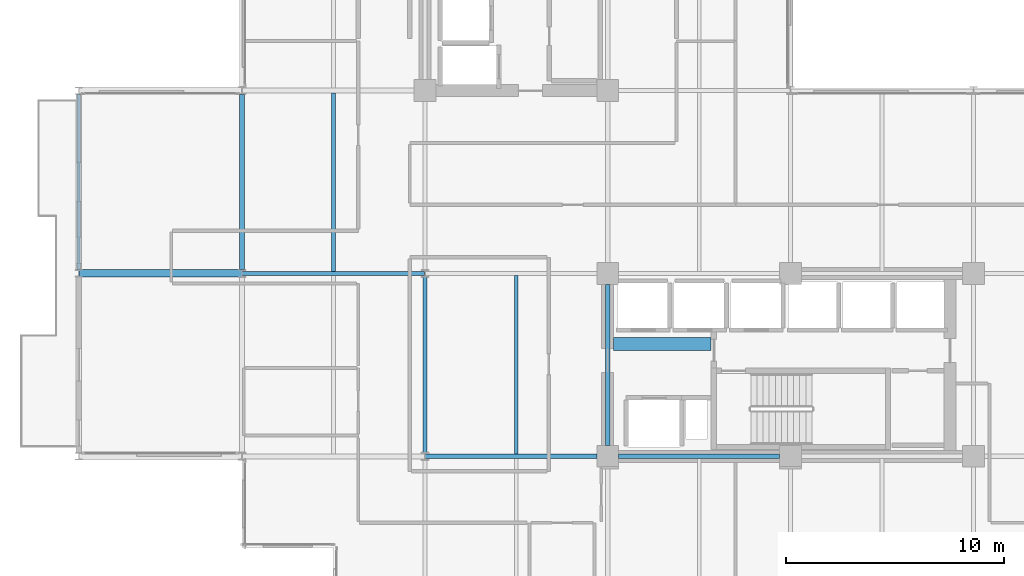
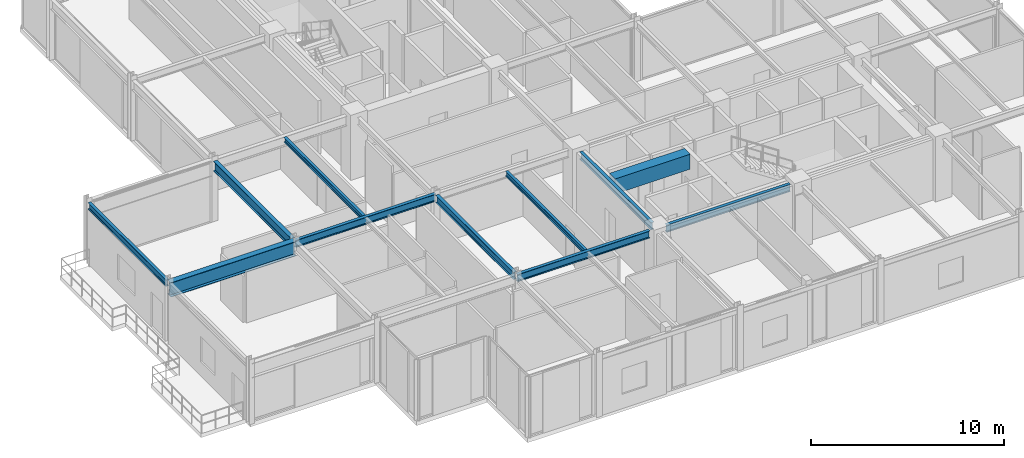
# One storey, part 8 of 29: 11 beams.
"""IFC4 building model written with IfcOpenShell, lengths in metres."""

from ifc_helpers import new_model, si_unit, direction, frame, origin, origin_2d, place, context, subcontext, project, spatial, rectangle, i_section, extrude, material, material_profile, profile_set, type_object, element, save


model = new_model("IFC4")

# Units and contexts
model_context = context("Model", 3, precision=1e-05, world=origin(), true_north=direction((0.0, 1.0)))
body_context = subcontext(model_context, "Body", "Model", "MODEL_VIEW")
ifc_project = project(units=[si_unit("LENGTHUNIT", "METRE"), si_unit("AREAUNIT", "SQUARE_METRE"), si_unit("VOLUMEUNIT", "CUBIC_METRE"), si_unit("PLANEANGLEUNIT", "RADIAN"), si_unit("MASSUNIT", "GRAM", prefix="KILO")], contexts=[model_context])

# Site, building, storey
site_placement = place(None, origin())
site = spatial("IfcSite", under=ifc_project, at=site_placement, CompositionType="ELEMENT")
building_placement = place(site_placement, origin())
building = spatial("IfcBuilding", under=site, at=building_placement, Name="Nerrivon Quay Data Exchange", CompositionType="ELEMENT")
storey_placement = place(building_placement, frame((0.0, 0.0, 212.39990234375)))
storey = spatial("IfcBuildingStorey", under=building, at=storey_placement, Name="L50", CompositionType="ELEMENT", Elevation=212.39990234375)

# Beams
ifc_material_1 = material(Name="Steel Grade 350", Category="steel")
ifc_material_profile_1 = material_profile(ifc_material_1, i_section(OverallWidth=0.35009765625, OverallDepth=0.909912109375, WebThickness=0.011962890625, FlangeThickness=0.02490234375, at=origin_2d()), Name="900WB218")
ifc_profile_set_1 = profile_set([ifc_material_profile_1], Name="Steel Grade 350")
beam_type_1 = type_object("IfcBeamType", Name="BM-CANT-900WB", PredefinedType="USERDEFINED", material=ifc_profile_set_1)
beam_1_placement = place(storey_placement, frame((-0.010009765625, 16.800048828125, 3.3701171875), z_axis=(-1.0, 0.0, 0.0), x_axis=(0.0, -1.0, 0.0)))
element("IfcBeam", 1, at=beam_1_placement, inside=storey, type_object=beam_type_1, Name="L50 West Hooked Cantilever Girder Y=16.8", ObjectType="TRANSFER", PredefinedType="USERDEFINED", context=body_context, shape_type="SweptSolid", body=[
    extrude(i_section(OverallWidth=0.35009765625, OverallDepth=0.909912109375, WebThickness=0.011962890625, FlangeThickness=0.02490234375, at=origin_2d()), origin(), (0.0, 0.0, 1.0), 7.482177734375),
])
ifc_material_2 = material(Name="Concrete N50 (50 MPa)", Category="concrete")
ifc_material_profile_2 = material_profile(ifc_material_2, rectangle(XDim=0.60009765625, YDim=0.949951171875, at=origin_2d()), Name="RC-CB-600x950")
ifc_profile_set_2 = profile_set([ifc_material_profile_2], Name="Concrete N50 (50 MPa)")
beam_type_2 = type_object("IfcBeamType", Name="BM-CB2-600x950", PredefinedType="LINTEL", material=ifc_profile_set_2)
beam_2_placement = place(storey_placement, frame((17.074951171875, 13.550048828125, 3.35009765625), z_axis=(1.0, 0.0, 0.0), x_axis=(0.0, 1.0, 0.0)))
element("IfcBeam", 2, at=beam_2_placement, inside=storey, type_object=beam_type_2, Name="L50 East Core Coupling Beam", PredefinedType="LINTEL", context=body_context, shape_type="SweptSolid", body=[
    extrude(rectangle(XDim=0.60009765625, YDim=0.949951171875, at=origin_2d()), origin(), (0.0, 0.0, 1.0), 4.47998046875),
])
ifc_material_profile_3 = material_profile(ifc_material_1, i_section(OverallWidth=0.22802734375, OverallDepth=0.60205078125, WebThickness=0.010498046875, FlangeThickness=0.014892578125, FilletRadius=0.013916015625, at=origin_2d()), Name="610UB101")
ifc_profile_set_3 = profile_set([ifc_material_profile_3], Name="Steel Grade 350")
beam_type_3 = type_object("IfcBeamType", Name="BM-G2-610UB101", PredefinedType="BEAM", material=ifc_profile_set_3)
beam_3_placement = place(storey_placement, frame((0.0, 16.97509765625, 3.524169921875), z_axis=(0.0, 1.0, 0.0), x_axis=(-1.0, 0.0, 0.0)))
element("IfcBeam", 3, at=beam_3_placement, inside=storey, type_object=beam_type_3, Name="L50 NS Girder X=0.0 (16.8..25.2)", PredefinedType="BEAM", context=body_context, shape_type="SweptSolid", body=[
    extrude(i_section(OverallWidth=0.22802734375, OverallDepth=0.60205078125, WebThickness=0.010498046875, FlangeThickness=0.014892578125, FilletRadius=0.013916015625, at=origin_2d()), origin(), (0.0, 0.0, 1.0), 8.0498046875),
])
ifc_material_profile_4 = material_profile(ifc_material_1, i_section(OverallWidth=0.19091796875, OverallDepth=0.4599609375, WebThickness=0.010009765625, FlangeThickness=0.01611328125, FilletRadius=0.011474609375, at=origin_2d()), Name="460UB82.1")
ifc_profile_set_4 = profile_set([ifc_material_profile_4], Name="Steel Grade 350")
beam_type_4 = type_object("IfcBeamType", Name="BM-G5-460UB82", PredefinedType="BEAM", material=ifc_profile_set_4)
beam_4_placement = place(storey_placement, frame((8.409912109375, 8.39990234375, 3.59521484375), z_axis=(1.0, 0.0, 0.0), x_axis=(0.0, 1.0, 0.0)))
element("IfcBeam", 4, at=beam_4_placement, inside=storey, type_object=beam_type_4, Name="L50 EW Girder Y=8.4 (8.4..16.8)", PredefinedType="BEAM", context=body_context, shape_type="SweptSolid", body=[
    extrude(i_section(OverallWidth=0.19091796875, OverallDepth=0.4599609375, WebThickness=0.010009765625, FlangeThickness=0.01611328125, FilletRadius=0.011474609375, at=origin_2d()), origin(), (0.0, 0.0, 1.0), 7.89013671875),
])
beam_5_placement = place(storey_placement, frame((17.300048828125, 8.39990234375, 3.59521484375), z_axis=(1.0, 0.0, 0.0), x_axis=(0.0, 1.0, 0.0)))
element("IfcBeam", 5, at=beam_5_placement, inside=storey, type_object=beam_type_4, Name="L50 EW Girder Y=8.4 (16.8..25.2)", PredefinedType="BEAM", context=body_context, shape_type="SweptSolid", body=[
    extrude(i_section(OverallWidth=0.19091796875, OverallDepth=0.4599609375, WebThickness=0.010009765625, FlangeThickness=0.01611328125, FilletRadius=0.011474609375, at=origin_2d()), origin(), (0.0, 0.0, 1.0), 7.39990234375),
])
beam_6_placement = place(storey_placement, frame((0.010009765625, 16.800048828125, 3.59521484375), z_axis=(1.0, 0.0, 0.0), x_axis=(0.0, 1.0, 0.0)))
element("IfcBeam", 6, at=beam_6_placement, inside=storey, type_object=beam_type_4, Name="L50 EW Girder Y=16.8 (0.0..8.4)", PredefinedType="BEAM", context=body_context, shape_type="SweptSolid", body=[
    extrude(i_section(OverallWidth=0.19091796875, OverallDepth=0.4599609375, WebThickness=0.010009765625, FlangeThickness=0.01611328125, FilletRadius=0.011474609375, at=origin_2d()), origin(), (0.0, 0.0, 1.0), 8.3798828125),
])
ifc_material_profile_5 = material_profile(ifc_material_1, i_section(OverallWidth=0.18994140625, OverallDepth=0.4541015625, WebThickness=0.008544921875, FlangeThickness=0.0126953125, FilletRadius=0.011474609375, at=origin_2d()), Name="460UB67.1")
ifc_profile_set_5 = profile_set([ifc_material_profile_5], Name="Steel Grade 350")
beam_type_5 = type_object("IfcBeamType", Name="BM-G6-460UB67", PredefinedType="BEAM", material=ifc_profile_set_5)
beam_7_placement = place(storey_placement, frame((8.39990234375, 8.574951171875, 3.59814453125), z_axis=(0.0, 1.0, 0.0), x_axis=(-1.0, 0.0, 0.0)))
element("IfcBeam", 7, at=beam_7_placement, inside=storey, type_object=beam_type_5, Name="L50 NS Girder X=8.4 (8.4..16.8)", PredefinedType="BEAM", context=body_context, shape_type="SweptSolid", body=[
    extrude(i_section(OverallWidth=0.18994140625, OverallDepth=0.4541015625, WebThickness=0.008544921875, FlangeThickness=0.0126953125, FilletRadius=0.011474609375, at=origin_2d()), origin(), (0.0, 0.0, 1.0), 8.050048828125),
])
beam_8_placement = place(storey_placement, frame((16.800048828125, 8.89990234375, 3.59814453125), z_axis=(0.0, 1.0, 0.0), x_axis=(-1.0, 0.0, 0.0)))
element("IfcBeam", 8, at=beam_8_placement, inside=storey, type_object=beam_type_5, Name="L50 NS Girder X=16.8 (8.4..16.8)", PredefinedType="BEAM", context=body_context, shape_type="SweptSolid", body=[
    extrude(i_section(OverallWidth=0.18994140625, OverallDepth=0.4541015625, WebThickness=0.008544921875, FlangeThickness=0.0126953125, FilletRadius=0.011474609375, at=origin_2d()), origin(), (0.0, 0.0, 1.0), 7.400146484375),
])
ifc_material_profile_6 = material_profile(ifc_material_1, i_section(OverallWidth=0.166015625, OverallDepth=0.306884765625, WebThickness=0.006591796875, FlangeThickness=0.01171875, FilletRadius=0.011474609375, at=origin_2d()), Name="310UB46.2")
ifc_profile_set_6 = profile_set([ifc_material_profile_6], Name="Steel Grade 350")
beam_type_6 = type_object("IfcBeamType", Name="BM-J5-310UB46", PredefinedType="JOIST", material=ifc_profile_set_6)
beam_9_placement = place(storey_placement, frame((4.199951171875, 16.8955078125, 3.671630859375), z_axis=(0.0, 1.0, 0.0), x_axis=(-1.0, 0.0, 0.0)))
element("IfcBeam", 9, at=beam_9_placement, inside=storey, type_object=beam_type_6, Name="L50 Secondary Joist X=4.2 (16.8..25.2)", PredefinedType="JOIST", context=body_context, shape_type="SweptSolid", body=[
    extrude(i_section(OverallWidth=0.166015625, OverallDepth=0.306884765625, WebThickness=0.006591796875, FlangeThickness=0.01171875, FilletRadius=0.011474609375, at=origin_2d()), origin(), (0.0, 0.0, 1.0), 8.18994140625),
])
beam_10_placement = place(storey_placement, frame((12.60009765625, 8.49560546875, 3.671630859375), z_axis=(0.0, 1.0, 0.0), x_axis=(-1.0, 0.0, 0.0)))
element("IfcBeam", 10, at=beam_10_placement, inside=storey, type_object=beam_type_6, Name="L50 Secondary Joist X=12.6 (8.4..16.8)", PredefinedType="JOIST", context=body_context, shape_type="SweptSolid", body=[
    extrude(i_section(OverallWidth=0.166015625, OverallDepth=0.306884765625, WebThickness=0.006591796875, FlangeThickness=0.01171875, FilletRadius=0.011474609375, at=origin_2d()), origin(), (0.0, 0.0, 1.0), 8.208984375),
])
ifc_material_profile_7 = material_profile(ifc_material_1, i_section(OverallWidth=0.177978515625, OverallDepth=0.403076171875, WebThickness=0.007568359375, FlangeThickness=0.010986328125, FilletRadius=0.011474609375, at=origin_2d()), Name="410UB53.7")
ifc_profile_set_7 = profile_set([ifc_material_profile_7], Name="Steel Grade 350")
beam_type_7 = type_object("IfcBeamType", Name="BM-SP2-410UB54", PredefinedType="SPANDREL", material=ifc_profile_set_7)
beam_11_placement = place(storey_placement, frame((-7.5, 16.96337890625, 3.62353515625), z_axis=(0.0, 1.0, 0.0), x_axis=(-1.0, 0.0, 0.0)))
element("IfcBeam", 11, at=beam_11_placement, inside=storey, type_object=beam_type_7, Name="L50 West Hooked Edge Spandrel", PredefinedType="SPANDREL", context=body_context, shape_type="SweptSolid", body=[
    extrude(i_section(OverallWidth=0.177978515625, OverallDepth=0.403076171875, WebThickness=0.007568359375, FlangeThickness=0.010986328125, FilletRadius=0.011474609375, at=origin_2d()), origin(), (0.0, 0.0, 1.0), 8.0732421875),
])

save(model, "model.ifc")
